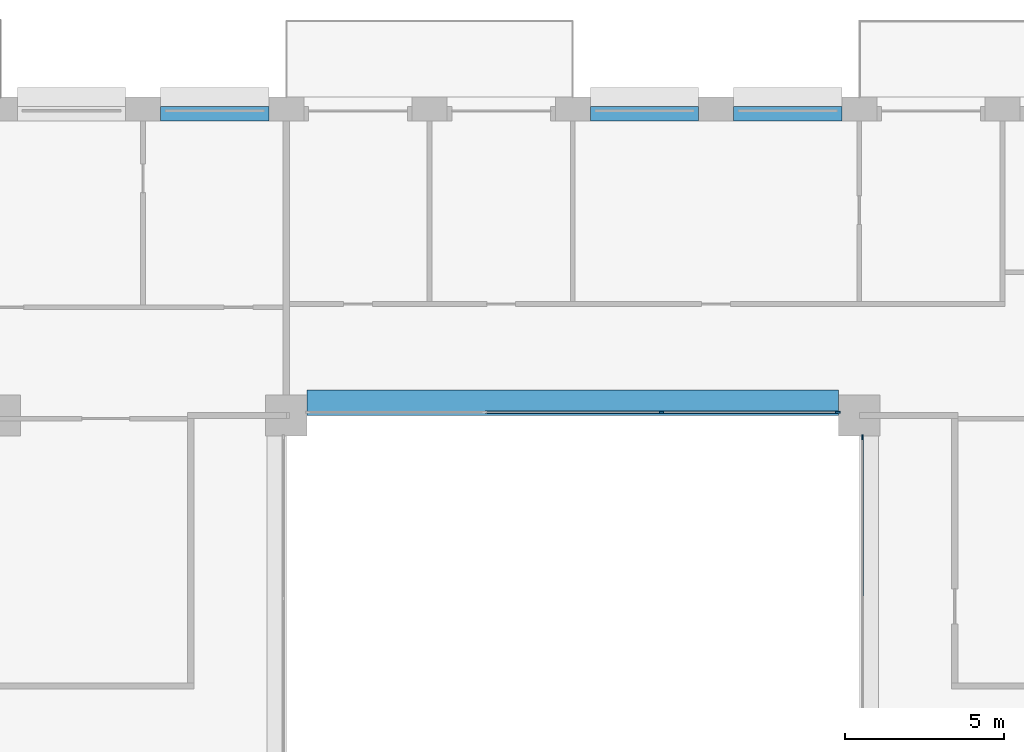
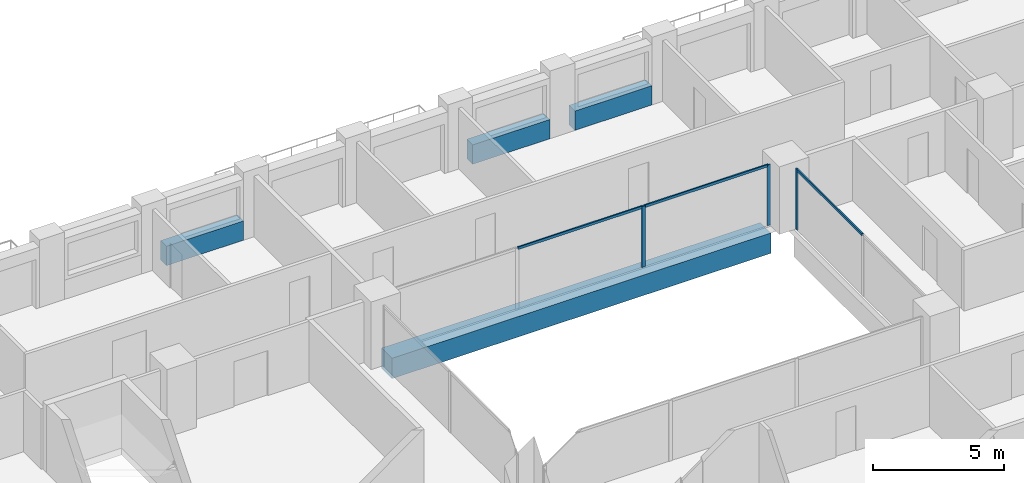
# One storey, part 6 of 16: 6 members, 4 beams, 2 elements without a shape of their own.
"""IFC4 building model written with IfcOpenShell, lengths in metres."""

from ifc_helpers import new_model, si_unit, direction, frame, origin, origin_2d, place, context, subcontext, project, spatial, rectangle, extrude, material, layer, layer_set, material_profile, profile_set, type_object, element, aggregate, save


model = new_model("IFC4")

# Units and contexts
model_context = context("Model", 3, precision=1e-05, world=origin(), true_north=direction((0.0, 1.0)))
body_context = subcontext(model_context, "Body", "Model", "MODEL_VIEW")
ifc_project = project(units=[si_unit("LENGTHUNIT", "METRE"), si_unit("AREAUNIT", "SQUARE_METRE"), si_unit("VOLUMEUNIT", "CUBIC_METRE"), si_unit("PLANEANGLEUNIT", "RADIAN"), si_unit("MASSUNIT", "GRAM", prefix="KILO")], contexts=[model_context])

# Site, building, storey
site_placement = place(None, origin())
site = spatial("IfcSite", under=ifc_project, at=site_placement, CompositionType="ELEMENT")
building_placement = place(site_placement, origin())
building = spatial("IfcBuilding", under=site, at=building_placement, Name="Brigalow Station Residences", CompositionType="ELEMENT")
storey_placement = place(building_placement, frame((0.0, 0.0, 115.050048828125)))
storey = spatial("IfcBuildingStorey", under=building, at=storey_placement, Name="L33", CompositionType="ELEMENT", Elevation=115.050048828125)

# Beam
ifc_material_1 = material(Name="Concrete C65", Category="concrete")
ifc_material_profile_1 = material_profile(ifc_material_1, rectangle(XDim=0.800048828125, YDim=0.949951171875, at=origin_2d()), Name="RC800x950")
ifc_profile_set_1 = profile_set([ifc_material_profile_1], Name="Concrete C65")
beam_type_1 = type_object("IfcBeamType", Name="ATRIUM EDGE GIRDER OVER 13.5 M SPAN 800x950 C65", PredefinedType="BEAM", material=ifc_profile_set_1)
beam_placement = place(storey_placement, frame((27.64990234375, 35.89990234375, -0.795166015625), z_axis=(1.0, 0.0, 0.0), x_axis=(0.0, 1.0, 0.0)))
element("IfcBeam", 1, at=beam_placement, inside=storey, type_object=beam_type_1, Name="ATRIUM EDGE GIRDER D L33", PredefinedType="BEAM", context=body_context, shape_type="SweptSolid", body=[
    extrude(rectangle(XDim=0.800048828125, YDim=0.949951171875, at=origin_2d()), origin(), (0.0, 0.0, 1.0), 16.7001953125),
])

# Curtain wall, member
ifc_material_2 = material(Name="Aluminium", Category="aluminium")
ifc_layer = layer(ifc_material_2, 0.14990234375)
ifc_layer_set = layer_set([ifc_layer], Name="ATRIUM FIRE-RATED GLAZING CURTAIN WALL")
curtain_wall_type = type_object("IfcCurtainWallType", Name="ATRIUM FIRE-RATED GLAZING CURTAIN WALL", PredefinedType="NOTDEFINED", material=ifc_layer_set)
curtain_wall_1_placement = place(storey_placement, origin())
curtain_wall_1 = element("IfcCurtainWall", 2, at=curtain_wall_1_placement, inside=storey, type_object=curtain_wall_type, Name="L33/cw/atrium-E", PredefinedType="NOTDEFINED")
ifc_material_3 = material(Name="Aluminium", Category="aluminium")
ifc_material_profile_2 = material_profile(ifc_material_3, rectangle(XDim=0.06005859375, YDim=0.14990234375, at=origin_2d()), Name="ATRIUM FIRE-RATED GLAZING MULLION 60x150")
ifc_profile_set_2 = profile_set([ifc_material_profile_2], Name="Aluminium")
member_type_1 = type_object("IfcMemberType", Name="ATRIUM FIRE-RATED GLAZING MULLION 60x150", PredefinedType="MULLION", material=ifc_profile_set_2)
member_1_placement = place(storey_placement, frame((45.10009765625, 34.820068359375, 0.0), z_axis=(0.0, 0.0, 1.0), x_axis=(-1.0, 0.0, 0.0)))
member_1 = element("IfcMember", 3, at=member_1_placement, type_object=member_type_1, Name="L33/cw/atrium-E/M02", PredefinedType="MULLION", context=body_context, shape_type="SweptSolid", body=[
    extrude(rectangle(XDim=0.06005859375, YDim=0.14990234375, at=origin_2d()), origin(), (0.0, 0.0, 1.0), 2.829833984375),
])

# Curtain wall, members
curtain_wall_2_placement = place(storey_placement, origin())
curtain_wall_2 = element("IfcCurtainWall", 4, at=curtain_wall_2_placement, inside=storey, type_object=curtain_wall_type, Name="L33/cw/atrium-N", PredefinedType="NOTDEFINED")
member_2_placement = place(storey_placement, frame((44.320068359375, 35.60009765625, 0.0), z_axis=(0.0, 0.0, 1.0), x_axis=(0.0, -1.0, 0.0)))
member_2 = element("IfcMember", 5, at=member_2_placement, type_object=member_type_1, Name="L33/cw/atrium-N/M00", PredefinedType="MULLION", context=body_context, shape_type="SweptSolid", body=[
    extrude(rectangle(XDim=0.06005859375, YDim=0.14990234375, at=origin_2d()), origin(), (0.0, 0.0, 1.0), 2.829833984375),
])
member_3_placement = place(storey_placement, frame((38.783203125, 35.60009765625, 0.0), z_axis=(0.0, 0.0, 1.0), x_axis=(0.0, -1.0, 0.0)))
member_3 = element("IfcMember", 6, at=member_3_placement, type_object=member_type_1, Name="L33/cw/atrium-N/M01", PredefinedType="MULLION", context=body_context, shape_type="SweptSolid", body=[
    extrude(rectangle(XDim=0.06005859375, YDim=0.14990234375, at=origin_2d()), origin(), (0.0, 0.0, 1.0), 2.829833984375),
])

# Member
ifc_material_4 = material(Name="Aluminium", Category="aluminium")
ifc_material_profile_3 = material_profile(ifc_material_4, rectangle(XDim=0.06005859375, YDim=0.1201171875, at=origin_2d()), Name="ATRIUM FIRE-RATED GLAZING TRANSOM 60x120")
ifc_profile_set_3 = profile_set([ifc_material_profile_3], Name="Aluminium")
member_type_2 = type_object("IfcMemberType", Name="ATRIUM FIRE-RATED GLAZING TRANSOM 60x120", PredefinedType="USERDEFINED", material=ifc_profile_set_3)
member_4_placement = place(storey_placement, frame((45.10009765625, 29.780029296875, 2.800048828125), z_axis=(0.0, 1.0, 0.0), x_axis=(-1.0, 0.0, 0.0)))
member_4 = element("IfcMember", 7, at=member_4_placement, type_object=member_type_2, Name="L33/cw/atrium-E/T01-00", ObjectType="TRANSOM", PredefinedType="USERDEFINED", context=body_context, shape_type="SweptSolid", body=[
    extrude(rectangle(XDim=0.06005859375, YDim=0.1201171875, at=origin_2d()), origin(), (0.0, 0.0, 1.0), 5.010009765625),
])

aggregate(curtain_wall_1, [member_1, member_4])

member_5_placement = place(storey_placement, frame((44.2900390625, 35.60009765625, 2.800048828125), z_axis=(-1.0, 0.0, 0.0), x_axis=(0.0, -1.0, 0.0)))
member_5 = element("IfcMember", 8, at=member_5_placement, type_object=member_type_2, Name="L33/cw/atrium-N/T00-00", ObjectType="TRANSOM", PredefinedType="USERDEFINED", context=body_context, shape_type="SweptSolid", body=[
    extrude(rectangle(XDim=0.06005859375, YDim=0.1201171875, at=origin_2d()), origin(), (0.0, 0.0, 1.0), 5.476806640625),
])

member_6_placement = place(storey_placement, frame((38.75341796875, 35.60009765625, 2.800048828125), z_axis=(-1.0, 0.0, 0.0), x_axis=(0.0, -1.0, 0.0)))
member_6 = element("IfcMember", 9, at=member_6_placement, type_object=member_type_2, Name="L33/cw/atrium-N/T01-00", ObjectType="TRANSOM", PredefinedType="USERDEFINED", context=body_context, shape_type="SweptSolid", body=[
    extrude(rectangle(XDim=0.06005859375, YDim=0.1201171875, at=origin_2d()), origin(), (0.0, 0.0, 1.0), 5.5068359375),
])

aggregate(curtain_wall_2, [member_2, member_3, member_5, member_6])

# Beams
ifc_material_5 = material(Name="Concrete C65", Category="concrete")
ifc_material_profile_4 = material_profile(ifc_material_5, rectangle(XDim=0.449951171875, YDim=0.89990234375, at=origin_2d()), Name="RC450x900")
ifc_profile_set_4 = profile_set([ifc_material_profile_4], Name="Concrete C65")
beam_type_2 = type_object("IfcBeamType", Name="SPANDREL BEAM 450x900 C65", PredefinedType="SPANDREL", material=ifc_profile_set_4)
for number, where, z_axis, x_axis, name in (
    (10, (44.449951171875, 44.97509765625, 0.449951171875), (-1.0, 0.0, 0.0), (0.0, -1.0, 0.0), "L33/spandrel/W-L33-29"),
    (11, (39.949951171875, 44.97509765625, 0.449951171875), (-1.0, 0.0, 0.0), (0.0, -1.0, 0.0), "L33/spandrel/W-L33-30"),
    (12, (26.449951171875, 44.97509765625, 0.449951171875), (-1.0, 0.0, 0.0), (0.0, -1.0, 0.0), "L33/spandrel/W-L33-33"),
):
    element("IfcBeam", number, at=place(storey_placement, frame(where, z_axis=z_axis, x_axis=x_axis)), inside=storey, type_object=beam_type_2, Name=name, PredefinedType="SPANDREL", context=body_context, shape_type="SweptSolid", body=[
        extrude(rectangle(XDim=0.449951171875, YDim=0.89990234375, at=origin_2d()), origin(), (0.0, 0.0, 1.0), 3.39990234375),
    ])

save(model, "model.ifc")
